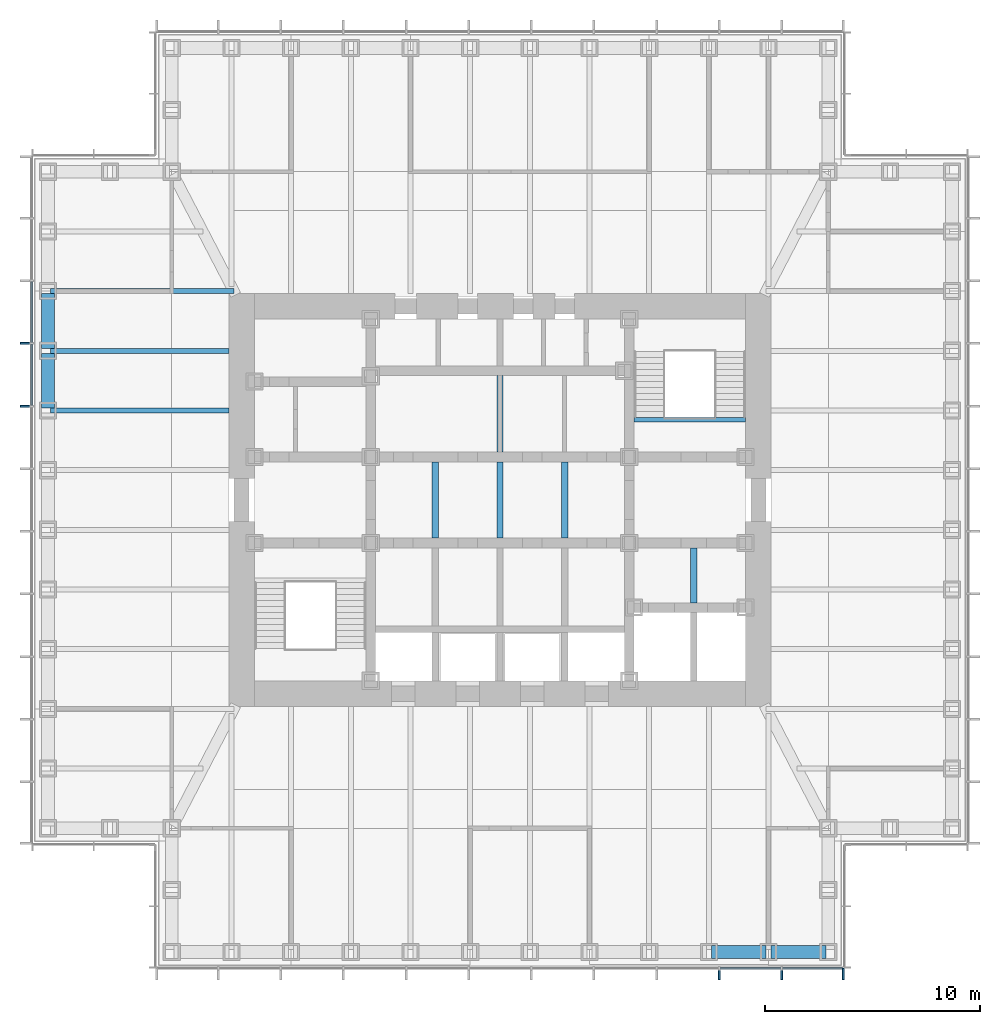
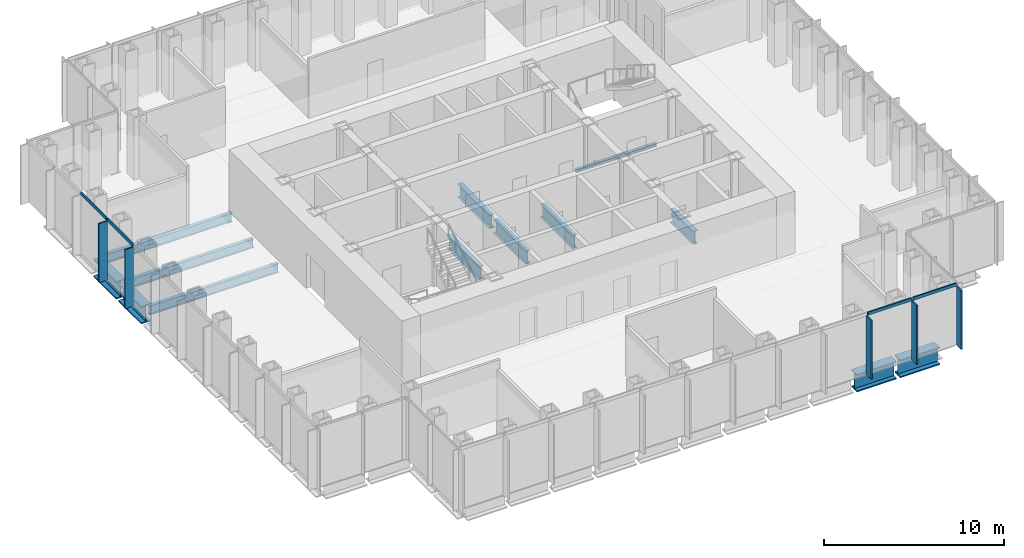
# One storey, part 3 of 16: 13 beams, 9 members, 2 elements without a shape of their own.
"""IFC4 building model written with IfcOpenShell, lengths in metres."""

from ifc_helpers import new_model, si_unit, direction, frame, origin, origin_2d, place, context, subcontext, project, spatial, rectangle, i_section, extrude, material, material_profile, profile_set, type_object, element, aggregate, save


model = new_model("IFC4")

# Units and contexts
model_context = context("Model", 3, precision=1e-05, world=origin(), true_north=direction((0.0, 1.0)))
body_context = subcontext(model_context, "Body", "Model", "MODEL_VIEW")
ifc_project = project(units=[si_unit("LENGTHUNIT", "METRE"), si_unit("AREAUNIT", "SQUARE_METRE"), si_unit("VOLUMEUNIT", "CUBIC_METRE"), si_unit("PLANEANGLEUNIT", "RADIAN"), si_unit("MASSUNIT", "GRAM", prefix="KILO")], contexts=[model_context])

# Site, building, storey
site_placement = place(None, origin())
site = spatial("IfcSite", under=ifc_project, at=site_placement, CompositionType="ELEMENT")
building_placement = place(site_placement, origin())
building = spatial("IfcBuilding", under=site, at=building_placement, Name="Daluyong Arena Tower", CompositionType="ELEMENT")
storey_placement = place(building_placement, frame((0.0, 0.0, 254.5)))
storey = spatial("IfcBuildingStorey", under=building, at=storey_placement, Name="L57", CompositionType="ELEMENT", Elevation=254.5)

# Curtain wall, members
ifc_material_1 = material(Name="Bronze anodised aluminium and glass", Category="aluminium")
curtain_wall_type = type_object("IfcCurtainWallType", Name="Curtain wall CW4", PredefinedType="USERDEFINED", material=ifc_material_1)
curtain_wall_1_placement = place(storey_placement, origin())
curtain_wall_1 = element("IfcCurtainWall", 1, at=curtain_wall_1_placement, inside=storey, type_object=curtain_wall_type, Name="curtain wall L57 S", ObjectType="UNITISED CURTAIN WALL", PredefinedType="USERDEFINED")
ifc_material_2 = material(Name="Bronze anodised aluminium fin", Category="aluminium")
ifc_material_profile_1 = material_profile(ifc_material_2, rectangle(XDim=0.550048828125, YDim=0.090087890625, at=origin_2d()))
ifc_profile_set_1 = profile_set([ifc_material_profile_1], Name="Bronze anodised aluminium fin")
member_type_1 = type_object("IfcMemberType", Name="CW4 bronze fin 550x90", PredefinedType="MULLION", material=ifc_profile_set_1)
member_1_placement = place(storey_placement, frame((66.181884765625, 57.97509765625, 0.0), z_axis=(0.0, 0.0, 1.0), x_axis=(0.0, 1.0, 0.0)))
member_1 = element("IfcMember", 2, at=member_1_placement, type_object=member_type_1, Name="curtain wall L57 S fin 10", PredefinedType="MULLION", context=body_context, shape_type="SweptSolid", body=[
    extrude(rectangle(XDim=0.550048828125, YDim=0.090087890625, at=origin_2d()), origin(), (0.0, 0.0, 1.0), 4.0),
])
member_2_placement = place(storey_placement, frame((69.0908203125, 57.97509765625, 0.0), z_axis=(0.0, 0.0, 1.0), x_axis=(0.0, 1.0, 0.0)))
member_2 = element("IfcMember", 3, at=member_2_placement, type_object=member_type_1, Name="curtain wall L57 S fin 11", PredefinedType="MULLION", context=body_context, shape_type="SweptSolid", body=[
    extrude(rectangle(XDim=0.550048828125, YDim=0.090087890625, at=origin_2d()), origin(), (0.0, 0.0, 1.0), 4.0),
])
member_3_placement = place(storey_placement, frame((71.955078125, 57.97509765625, 0.0), z_axis=(0.0, 0.0, 1.0), x_axis=(0.0, 1.0, 0.0)))
member_3 = element("IfcMember", 4, at=member_3_placement, type_object=member_type_1, Name="curtain wall L57 S fin 12", PredefinedType="MULLION", context=body_context, shape_type="SweptSolid", body=[
    extrude(rectangle(XDim=0.550048828125, YDim=0.090087890625, at=origin_2d()), origin(), (0.0, 0.0, 1.0), 4.0),
])

curtain_wall_2_placement = place(storey_placement, origin())
curtain_wall_2 = element("IfcCurtainWall", 5, at=curtain_wall_2_placement, inside=storey, type_object=curtain_wall_type, Name="curtain wall L57 W", ObjectType="UNITISED CURTAIN WALL", PredefinedType="USERDEFINED")
member_4_placement = place(storey_placement, frame((33.97509765625, 87.272705078125, 0.0), z_axis=(0.0, 0.0, 1.0), x_axis=(1.0, 0.0, 0.0)))
member_4 = element("IfcMember", 6, at=member_4_placement, type_object=member_type_1, Name="curtain wall L57 W fin 4", PredefinedType="MULLION", context=body_context, shape_type="SweptSolid", body=[
    extrude(rectangle(XDim=0.550048828125, YDim=0.090087890625, at=origin_2d()), origin(), (0.0, 0.0, 1.0), 4.0),
])
member_5_placement = place(storey_placement, frame((33.97509765625, 84.363525390625, 0.0), z_axis=(0.0, 0.0, 1.0), x_axis=(1.0, 0.0, 0.0)))
member_5 = element("IfcMember", 7, at=member_5_placement, type_object=member_type_1, Name="curtain wall L57 W fin 5", PredefinedType="MULLION", context=body_context, shape_type="SweptSolid", body=[
    extrude(rectangle(XDim=0.550048828125, YDim=0.090087890625, at=origin_2d()), origin(), (0.0, 0.0, 1.0), 4.0),
])

# Member
ifc_material_3 = material(Name="Bronze anodised aluminium", Category="aluminium")
ifc_material_profile_2 = material_profile(ifc_material_3, rectangle(XDim=0.090087890625, YDim=0.199951171875, at=origin_2d()))
ifc_profile_set_2 = profile_set([ifc_material_profile_2], Name="Bronze anodised aluminium")
member_type_2 = type_object("IfcMemberType", Name="CW4 stack transom 200x90", PredefinedType="USERDEFINED", material=ifc_profile_set_2)
member_6_placement = place(storey_placement, frame((66.226806640625, 58.25, 4.10009765625), z_axis=(1.0, 0.0, 0.0), x_axis=(0.0, 1.0, 0.0)))
member_6 = element("IfcMember", 8, at=member_6_placement, type_object=member_type_2, Name="curtain wall L57 S transom 10", ObjectType="TRANSOM", PredefinedType="USERDEFINED", context=body_context, shape_type="SweptSolid", body=[
    extrude(rectangle(XDim=0.090087890625, YDim=0.199951171875, at=origin_2d()), origin(), (0.0, 0.0, 1.0), 2.819091796875),
])

member_7_placement = place(storey_placement, frame((69.135986328125, 58.25, 4.10009765625), z_axis=(1.0, 0.0, 0.0), x_axis=(0.0, 1.0, 0.0)))
member_7 = element("IfcMember", 9, at=member_7_placement, type_object=member_type_2, Name="curtain wall L57 S transom 11", ObjectType="TRANSOM", PredefinedType="USERDEFINED", context=body_context, shape_type="SweptSolid", body=[
    extrude(rectangle(XDim=0.090087890625, YDim=0.199951171875, at=origin_2d()), origin(), (0.0, 0.0, 1.0), 2.77392578125),
])

aggregate(curtain_wall_1, [member_1, member_2, member_3, member_6, member_7])

member_8_placement = place(storey_placement, frame((34.25, 90.13671875, 4.10009765625), z_axis=(0.0, -1.0, 0.0), x_axis=(1.0, 0.0, 0.0)))
member_8 = element("IfcMember", 10, at=member_8_placement, type_object=member_type_2, Name="curtain wall L57 W transom 3", ObjectType="TRANSOM", PredefinedType="USERDEFINED", context=body_context, shape_type="SweptSolid", body=[
    extrude(rectangle(XDim=0.090087890625, YDim=0.199951171875, at=origin_2d()), origin(), (0.0, 0.0, 1.0), 2.819091796875),
])

member_9_placement = place(storey_placement, frame((34.25, 87.227783203125, 4.10009765625), z_axis=(0.0, -1.0, 0.0), x_axis=(1.0, 0.0, 0.0)))
member_9 = element("IfcMember", 11, at=member_9_placement, type_object=member_type_2, Name="curtain wall L57 W transom 4", ObjectType="TRANSOM", PredefinedType="USERDEFINED", context=body_context, shape_type="SweptSolid", body=[
    extrude(rectangle(XDim=0.090087890625, YDim=0.199951171875, at=origin_2d()), origin(), (0.0, 0.0, 1.0), 2.819091796875),
])

aggregate(curtain_wall_2, [member_4, member_5, member_8, member_9])

# Beams
ifc_material_4 = material(Name="Steel ASTM A992 Grade 50", Category="steel")
ifc_material_profile_3 = material_profile(ifc_material_4, i_section(OverallWidth=0.22900390625, OverallDepth=0.612060546875, WebThickness=0.011962890625, FlangeThickness=0.01953125, at=origin_2d()))
ifc_profile_set_3 = profile_set([ifc_material_profile_3], Name="Steel ASTM A992 Grade 50")
beam_type_1 = type_object("IfcBeamType", Name="Floor beam W24X84", PredefinedType="BEAM", material=ifc_profile_set_3)
beam_1_placement = place(storey_placement, frame((35.114990234375, 89.70458984375, -0.466064453125), z_axis=(1.0, 0.0, 0.0), x_axis=(0.0, 1.0, 0.0)))
element("IfcBeam", 12, at=beam_1_placement, inside=storey, type_object=beam_type_1, Name="floor beam FB3", PredefinedType="BEAM", context=body_context, shape_type="SweptSolid", body=[
    extrude(i_section(OverallWidth=0.22900390625, OverallDepth=0.612060546875, WebThickness=0.011962890625, FlangeThickness=0.01953125, at=origin_2d()), origin(), (0.0, 0.0, 1.0), 8.5185546875),
])
for number, where, z_axis, x_axis, name in (
    (13, (35.114990234375, 86.931884765625, -0.466064453125), (1.0, 0.0, 0.0), (0.0, 1.0, 0.0), "floor beam FB3"),
    (14, (35.114990234375, 84.1591796875, -0.466064453125), (1.0, 0.0, 0.0), (0.0, 1.0, 0.0), "floor beam FB3"),
):
    element("IfcBeam", number, at=place(storey_placement, frame(where, z_axis=z_axis, x_axis=x_axis)), inside=storey, type_object=beam_type_1, Name=name, PredefinedType="BEAM", context=body_context, shape_type="SweptSolid", body=[
        extrude(i_section(OverallWidth=0.22900390625, OverallDepth=0.612060546875, WebThickness=0.011962890625, FlangeThickness=0.01953125, at=origin_2d()), origin(), (0.0, 0.0, 1.0), 8.284912109375),
    ])
ifc_material_5 = material(Name="Steel ASTM A572 Grade 50", Category="steel")
ifc_material_profile_4 = material_profile(ifc_material_5, i_section(OverallWidth=0.300048828125, OverallDepth=0.89990234375, WebThickness=0.025, FlangeThickness=0.04, at=origin_2d()))
ifc_profile_set_4 = profile_set([ifc_material_profile_4], Name="Steel ASTM A572 Grade 50")
beam_type_2 = type_object("IfcBeamType", Name="Lift divider beam PG900X300", PredefinedType="BEAM", material=ifc_profile_set_4)
for number, where, z_axis, x_axis, name in (
    (15, (53.0, 78.22509765625, -0.610107421875), (0.0, 1.0, 0.0), (-1.0, 0.0, 0.0), "lift divider beam DB1"),
    (16, (56.0, 78.22509765625, -0.610107421875), (0.0, 1.0, 0.0), (-1.0, 0.0, 0.0), "lift divider beam DB1"),
    (17, (56.0, 82.22509765625, -0.610107421875), (0.0, 1.0, 0.0), (-1.0, 0.0, 0.0), "lift divider beam DB1"),
    (18, (59.0, 78.22509765625, -0.610107421875), (0.0, 1.0, 0.0), (-1.0, 0.0, 0.0), "lift divider beam DB1"),
):
    element("IfcBeam", number, at=place(storey_placement, frame(where, z_axis=z_axis, x_axis=x_axis)), inside=storey, type_object=beam_type_2, Name=name, PredefinedType="BEAM", context=body_context, shape_type="SweptSolid", body=[
        extrude(i_section(OverallWidth=0.300048828125, OverallDepth=0.89990234375, WebThickness=0.025, FlangeThickness=0.04, at=origin_2d()), origin(), (0.0, 0.0, 1.0), 3.5498046875),
    ])
beam_2_placement = place(storey_placement, frame((65.0, 75.22509765625, -0.610107421875), z_axis=(0.0, 1.0, 0.0), x_axis=(-1.0, 0.0, 0.0)))
element("IfcBeam", 19, at=beam_2_placement, inside=storey, type_object=beam_type_2, Name="lift divider beam DB1", PredefinedType="BEAM", context=body_context, shape_type="SweptSolid", body=[
    extrude(i_section(OverallWidth=0.300048828125, OverallDepth=0.89990234375, WebThickness=0.025, FlangeThickness=0.04, at=origin_2d()), origin(), (0.0, 0.0, 1.0), 2.5498046875),
])
ifc_material_6 = material(Name="Steel ASTM A572 Grade 50", Category="steel")
ifc_material_profile_5 = material_profile(ifc_material_6, i_section(OverallWidth=0.60009765625, OverallDepth=1.199951171875, WebThickness=0.03, FlangeThickness=0.08, at=origin_2d()))
ifc_profile_set_5 = profile_set([ifc_material_profile_5], Name="Steel ASTM A572 Grade 50")
beam_type_3 = type_object("IfcBeamType", Name="Spandrel Z4 PG1200X600", PredefinedType="SPANDREL", material=ifc_profile_set_5)
for number, where, z_axis, x_axis, name in (
    (20, (65.819580078125, 59.0, -0.760009765625), (1.0, 0.0, 0.0), (0.0, 1.0, 0.0), "spandrel z4 SB9"),
    (21, (68.59228515625, 59.0, -0.760009765625), (1.0, 0.0, 0.0), (0.0, 1.0, 0.0), "spandrel z4 SB9"),
    (22, (35.0, 89.589599609375, -0.760009765625), (0.0, -1.0, 0.0), (1.0, 0.0, 0.0), "spandrel z4 SB9"),
    (23, (35.0, 86.81689453125, -0.760009765625), (0.0, -1.0, 0.0), (1.0, 0.0, 0.0), "spandrel z4 SB9"),
):
    element("IfcBeam", number, at=place(storey_placement, frame(where, z_axis=z_axis, x_axis=x_axis)), inside=storey, type_object=beam_type_3, Name=name, PredefinedType="SPANDREL", context=body_context, shape_type="SweptSolid", body=[
        extrude(i_section(OverallWidth=0.60009765625, OverallDepth=1.199951171875, WebThickness=0.03, FlangeThickness=0.08, at=origin_2d()), origin(), (0.0, 0.0, 1.0), 2.542724609375),
    ])
ifc_material_7 = material(Name="Steel ASTM A992 Grade 50", Category="steel")
ifc_material_profile_6 = material_profile(ifc_material_7, i_section(OverallWidth=0.203125, OverallDepth=0.203125, WebThickness=0.00732421875, FlangeThickness=0.010986328125, at=origin_2d()))
ifc_profile_set_6 = profile_set([ifc_material_profile_6], Name="Steel ASTM A992 Grade 50")
beam_type_4 = type_object("IfcBeamType", Name="Stair landing beam W8X31", PredefinedType="BEAM", material=ifc_profile_set_6)
beam_3_placement = place(storey_placement, frame((62.22509765625, 83.723388671875, -0.26171875), z_axis=(1.0, 0.0, 0.0), x_axis=(0.0, 1.0, 0.0)))
element("IfcBeam", 24, at=beam_3_placement, inside=storey, type_object=beam_type_4, Name="exit stair B landing beam", PredefinedType="BEAM", context=body_context, shape_type="SweptSolid", body=[
    extrude(i_section(OverallWidth=0.203125, OverallDepth=0.203125, WebThickness=0.00732421875, FlangeThickness=0.010986328125, at=origin_2d()), origin(), (0.0, 0.0, 1.0), 5.1748046875),
])

save(model, "model.ifc")
